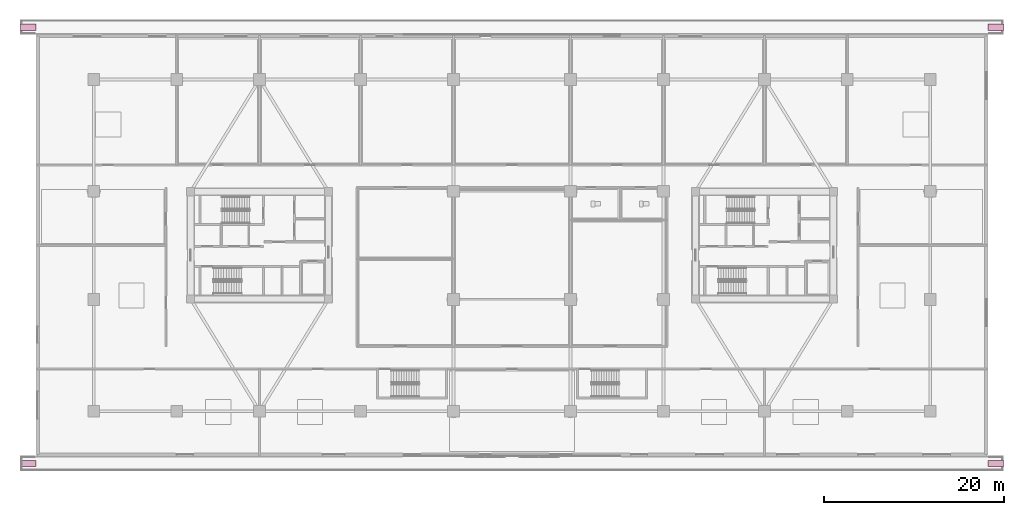
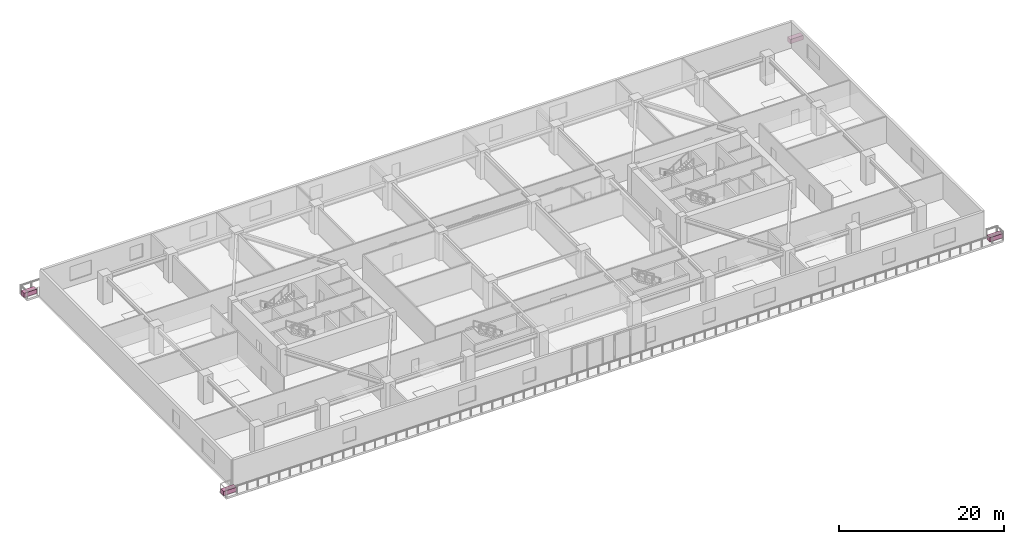
# One storey, part 22 of 22: 4 furnishings.
"""IFC4 building model written with IfcOpenShell, lengths in metres."""

from ifc_helpers import new_model, si_unit, direction, frame, origin, origin_2d, place, context, subcontext, project, spatial, rectangle, extrude, source, transform, mapped, material, type_object, type_shapes, element, save


model = new_model("IFC4")

# Units and contexts
model_context = context("Model", 3, precision=1e-05, world=origin(), true_north=direction((0.0, 1.0)))
body_context = subcontext(model_context, "Body", "Model", "MODEL_VIEW")
ifc_project = project(units=[si_unit("LENGTHUNIT", "METRE"), si_unit("AREAUNIT", "SQUARE_METRE"), si_unit("VOLUMEUNIT", "CUBIC_METRE"), si_unit("PLANEANGLEUNIT", "RADIAN"), si_unit("MASSUNIT", "GRAM", prefix="KILO")], contexts=[model_context])

# Site, building, storey
site_placement = place(None, origin())
site = spatial("IfcSite", under=ifc_project, at=site_placement, CompositionType="ELEMENT")
building_placement = place(site_placement, origin())
building = spatial("IfcBuilding", under=site, at=building_placement, Name="Norrkilde Senior Care Towers", CompositionType="ELEMENT")
storey_placement = place(building_placement, frame((0.0, 0.0, 4.199951171875)))
storey = spatial("IfcBuildingStorey", under=building, at=storey_placement, Name="L01", CompositionType="ELEMENT", Elevation=4.199951171875)

# Furnishings
ifc_material = material(Name="Architectural Terracotta", Category="masonry")
furnishing_element_type = type_object("IfcFurnishingElementType", Name="Nordic Terrace Planter Bed PLANTER", material=ifc_material)
shared_shape = source(origin(), body_context, "Body", "SweptSolid", [
    extrude(rectangle(XDim=1.800048828125, YDim=0.699951171875, at=origin_2d()), origin(), (0.0, 0.0, 1.0), 0.64990234375),
])
type_shapes(furnishing_element_type, [shared_shape])
for number, where, z_axis, x_axis, name in (
    (1, (53.680908203125, 24.206787109375, 0.0), (0.0, 0.0, 1.0), (1.0, 0.0, 0.0), "L01 Nordic Planted Terrace Bed 01"),
    (2, (53.680908203125, -24.206787109375, 0.0), (0.0, 0.0, 1.0), (1.0, 0.0, 0.0), "L01 Nordic Planted Terrace Bed 02"),
    (3, (-53.680908203125, 24.206787109375, 0.0), (0.0, 0.0, 1.0), (1.0, 0.0, 0.0), "L01 Nordic Planted Terrace Bed 03"),
    (4, (-53.680908203125, -24.206787109375, 0.0), (0.0, 0.0, 1.0), (1.0, 0.0, 0.0), "L01 Nordic Planted Terrace Bed 04"),
):
    element("IfcFurnishingElement", number, at=place(storey_placement, frame(where, z_axis=z_axis, x_axis=x_axis)), inside=storey, type_object=furnishing_element_type, Name=name, context=body_context, shape_type="MappedRepresentation", body=[
        mapped(shared_shape, transform((0.0, 0.0, 0.0), x_axis=(1.0, 0.0, 0.0), y_axis=(0.0, 1.0, 0.0), z_axis=(0.0, 0.0, 1.0), scale=1.0)),
    ])

save(model, "model.ifc")
